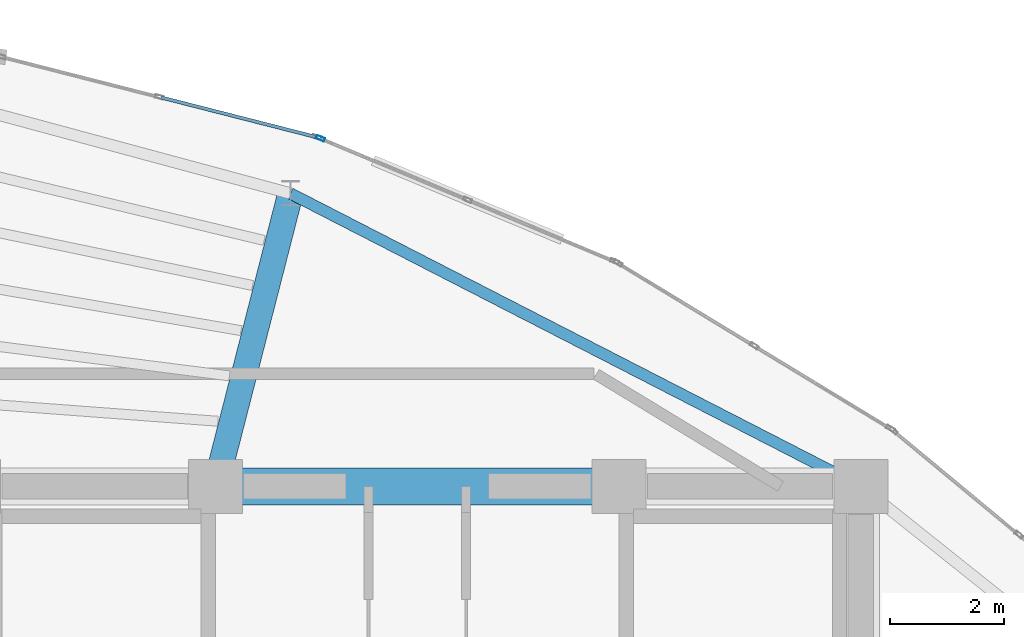
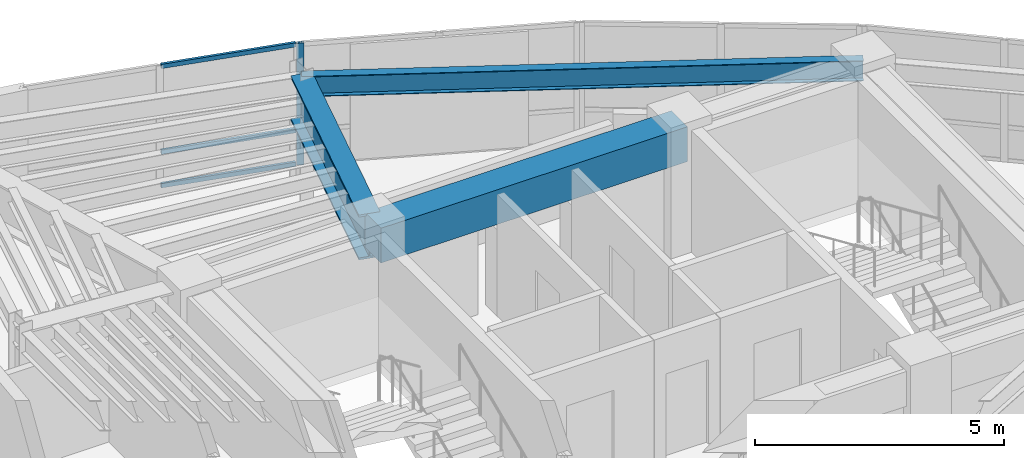
# One storey, part 8 of 14: 4 members, 3 beams, 2 elements without a shape of their own.
"""IFC4 building model written with IfcOpenShell, lengths in metres."""

from ifc_helpers import new_model, si_unit, direction, frame, origin, origin_2d, place, context, subcontext, project, spatial, rectangle, hollow_rectangle, i_section, extrude, material, layer, layer_set, material_profile, profile_set, type_object, element, aggregate, save


model = new_model("IFC4")

# Units and contexts
model_context = context("Model", 3, precision=1e-05, world=origin(), true_north=direction((0.0, 1.0)))
body_context = subcontext(model_context, "Body", "Model", "MODEL_VIEW")
ifc_project = project(units=[si_unit("LENGTHUNIT", "METRE"), si_unit("AREAUNIT", "SQUARE_METRE"), si_unit("VOLUMEUNIT", "CUBIC_METRE"), si_unit("PLANEANGLEUNIT", "RADIAN"), si_unit("MASSUNIT", "GRAM", prefix="KILO")], contexts=[model_context])

# Site, building, storey
site_placement = place(None, origin())
site = spatial("IfcSite", under=ifc_project, at=site_placement, CompositionType="ELEMENT")
building_placement = place(site_placement, origin())
building = spatial("IfcBuilding", under=site, at=building_placement, Name="Menara Vayukalpa", CompositionType="ELEMENT")
storey_placement = place(building_placement, frame((0.0, 0.0, 312.02001953125)))
storey = spatial("IfcBuildingStorey", under=building, at=storey_placement, Name="L80", CompositionType="ELEMENT", Elevation=312.02001953125)

# Beams
ifc_material_1 = material(Name="Concrete C60/75", Category="concrete")
ifc_material_profile_1 = material_profile(ifc_material_1, rectangle(XDim=0.64990234375, YDim=0.85009765625, at=origin_2d()), Name="RC 650x850")
ifc_profile_set_1 = profile_set([ifc_material_profile_1], Name="Concrete C60/75")
beam_type_1 = type_object("IfcBeamType", Name="BM-CB1", PredefinedType="BEAM", material=ifc_profile_set_1)
beam_1_placement = place(storey_placement, frame((22.050048828125, 26.800048828125, 2.554931640625), z_axis=(1.0, 0.0, 0.0), x_axis=(0.0, 1.0, 0.0)))
element("IfcBeam", 1, at=beam_1_placement, inside=storey, type_object=beam_type_1, Name="L80 Core Tie Beam CBR5", PredefinedType="BEAM", context=body_context, shape_type="SweptSolid", body=[
    extrude(rectangle(XDim=0.64990234375, YDim=0.85009765625, at=origin_2d()), origin(), (0.0, 0.0, 1.0), 7.099853515625),
])
ifc_material_2 = material(Name="Steel S460", Category="steel")
ifc_material_profile_2 = material_profile(ifc_material_2, i_section(OverallWidth=0.449951171875, OverallDepth=1.10009765625, WebThickness=0.02490234375, FlangeThickness=0.050048828125, at=origin_2d()), Name="WG 1100x450x25x50")
ifc_profile_set_2 = profile_set([ifc_material_profile_2], Name="Steel S460")
beam_type_2 = type_object("IfcBeamType", Name="BM-MTG1", PredefinedType="BEAM", material=ifc_profile_set_2)
beam_2_placement = place(storey_placement, frame((22.112060546875, 27.042236328125, 2.429931640625), z_axis=(0.248427525231, 0.968650486351, 0.0), x_axis=(-0.968650486351, 0.248427525231, 0.0)))
element("IfcBeam", 2, at=beam_2_placement, inside=storey, type_object=beam_type_2, Name="L80 Primary Radial Girder RG03", PredefinedType="BEAM", context=body_context, shape_type="SweptSolid", body=[
    extrude(i_section(OverallWidth=0.449951171875, OverallDepth=1.10009765625, WebThickness=0.02490234375, FlangeThickness=0.050048828125, at=origin_2d()), origin(), (0.0, 0.0, 1.0), 5.066162109375),
])
ifc_material_3 = material(Name="Steel S355", Category="steel")
ifc_material_profile_3 = material_profile(ifc_material_3, i_section(OverallWidth=0.199951171875, OverallDepth=0.5, WebThickness=0.010009765625, FlangeThickness=0.01611328125, at=origin_2d()), Name="WF 500x200x10x16")
ifc_profile_set_3 = profile_set([ifc_material_profile_3], Name="Steel S355")
beam_type_3 = type_object("IfcBeamType", Name="BM-SP3", PredefinedType="SPANDREL", material=ifc_profile_set_3)
beam_3_placement = place(storey_placement, frame((33.39990234375, 26.800048828125, 2.72998046875), z_axis=(-0.889594604964, 0.456750959297, 0.0), x_axis=(-0.456750959297, -0.889594604964, 0.0)))
element("IfcBeam", 3, at=beam_3_placement, inside=storey, type_object=beam_type_3, Name="L80 Perimeter Spandrel Beam SP02", PredefinedType="SPANDREL", context=body_context, shape_type="SweptSolid", body=[
    extrude(i_section(OverallWidth=0.199951171875, OverallDepth=0.5, WebThickness=0.010009765625, FlangeThickness=0.01611328125, at=origin_2d()), origin(), (0.0, 0.0, 1.0), 11.27392578125),
])

# Curtain wall, member
ifc_material_4 = material(Name="Anodised Terracotta Aluminium Alloy 6063-T6", Category="masonry")
ifc_layer = layer(ifc_material_4, 0.14990234375)
ifc_layer_set = layer_set([ifc_layer], Name="Anodised Terracotta Aluminium Alloy 6063-T6")
curtain_wall_type = type_object("IfcCurtainWallType", Name="CW-CW7", PredefinedType="USERDEFINED", material=ifc_layer_set)
curtain_wall_1_placement = place(storey_placement, origin())
curtain_wall_1 = element("IfcCurtainWall", 4, at=curtain_wall_1_placement, inside=storey, type_object=curtain_wall_type, Name="L80 Crown Drum Screened Curtain Wall CW7 05", ObjectType="UNITISED", PredefinedType="USERDEFINED")
ifc_material_5 = material(Name="Anodised Terracotta Aluminium Alloy 6063-T6", Category="masonry")
ifc_material_profile_4 = material_profile(ifc_material_5, hollow_rectangle(XDim=0.06494140625, YDim=0.14990234375, WallThickness=0.00341796875, at=origin_2d()), Name="ALU 65x150x3.5")
ifc_profile_set_4 = profile_set([ifc_material_profile_4], Name="Anodised Terracotta Aluminium Alloy 6063-T6")
member_type_1 = type_object("IfcMemberType", Name="CWM-CW7", PredefinedType="MULLION", material=ifc_profile_set_4)
member_1_placement = place(storey_placement, frame((23.89990234375, 32.9169921875, 0.0), z_axis=(0.0, 0.0, 1.0), x_axis=(-0.385898361946, -0.922541302191, 0.0)))
member_1 = element("IfcMember", 5, at=member_1_placement, type_object=member_type_1, Name="CW7 mullion 3", PredefinedType="MULLION", context=body_context, shape_type="SweptSolid", body=[
    extrude(hollow_rectangle(XDim=0.06494140625, YDim=0.14990234375, WallThickness=0.00341796875, at=origin_2d()), origin(), (0.0, 0.0, 1.0), 2.97998046875),
])
aggregate(curtain_wall_1, [member_1])

# Curtain wall, members
curtain_wall_2_placement = place(storey_placement, origin())
curtain_wall_2 = element("IfcCurtainWall", 6, at=curtain_wall_2_placement, inside=storey, type_object=curtain_wall_type, Name="L80 Crown Drum Screened Curtain Wall CW7 06", ObjectType="UNITISED", PredefinedType="USERDEFINED")
ifc_material_6 = material(Name="Anodised Terracotta Aluminium Alloy 6063-T6", Category="masonry")
ifc_material_profile_5 = material_profile(ifc_material_6, hollow_rectangle(XDim=0.06005859375, YDim=0.10498046875, WallThickness=0.0029296875, at=origin_2d()), Name="ALU 60x105x3")
ifc_profile_set_5 = profile_set([ifc_material_profile_5], Name="Anodised Terracotta Aluminium Alloy 6063-T6")
member_type_2 = type_object("IfcMemberType", Name="CWT-CW7", PredefinedType="USERDEFINED", material=ifc_profile_set_5)
member_2_placement = place(storey_placement, frame((23.806884765625, 32.945556640625, 0.030029296875), z_axis=(-0.968962149671, 0.247209127066, 0.0), x_axis=(-0.247209127066, -0.968962149671, 0.0)))
member_2 = element("IfcMember", 7, at=member_2_placement, type_object=member_type_2, Name="CW7 transom 1.1", ObjectType="TRANSOM", PredefinedType="USERDEFINED", context=body_context, shape_type="SweptSolid", body=[
    extrude(hollow_rectangle(XDim=0.06005859375, YDim=0.10498046875, WallThickness=0.0029296875, at=origin_2d()), origin(), (0.0, 0.0, 1.0), 2.80078125),
])
member_3_placement = place(storey_placement, frame((23.806884765625, 32.945556640625, 0.85009765625), z_axis=(-0.968962149671, 0.247209127066, 0.0), x_axis=(-0.247209127066, -0.968962149671, 0.0)))
member_3 = element("IfcMember", 8, at=member_3_placement, type_object=member_type_2, Name="CW7 transom 1.2", ObjectType="TRANSOM", PredefinedType="USERDEFINED", context=body_context, shape_type="SweptSolid", body=[
    extrude(hollow_rectangle(XDim=0.06005859375, YDim=0.10498046875, WallThickness=0.0029296875, at=origin_2d()), origin(), (0.0, 0.0, 1.0), 2.80078125),
])
member_4_placement = place(storey_placement, frame((23.806884765625, 32.945556640625, 2.949951171875), z_axis=(-0.968962149671, 0.247209127066, 0.0), x_axis=(-0.247209127066, -0.968962149671, 0.0)))
member_4 = element("IfcMember", 9, at=member_4_placement, type_object=member_type_2, Name="CW7 transom 1.3", ObjectType="TRANSOM", PredefinedType="USERDEFINED", context=body_context, shape_type="SweptSolid", body=[
    extrude(hollow_rectangle(XDim=0.06005859375, YDim=0.10498046875, WallThickness=0.0029296875, at=origin_2d()), origin(), (0.0, 0.0, 1.0), 2.80078125),
])
aggregate(curtain_wall_2, [member_2, member_3, member_4])

save(model, "model.ifc")
